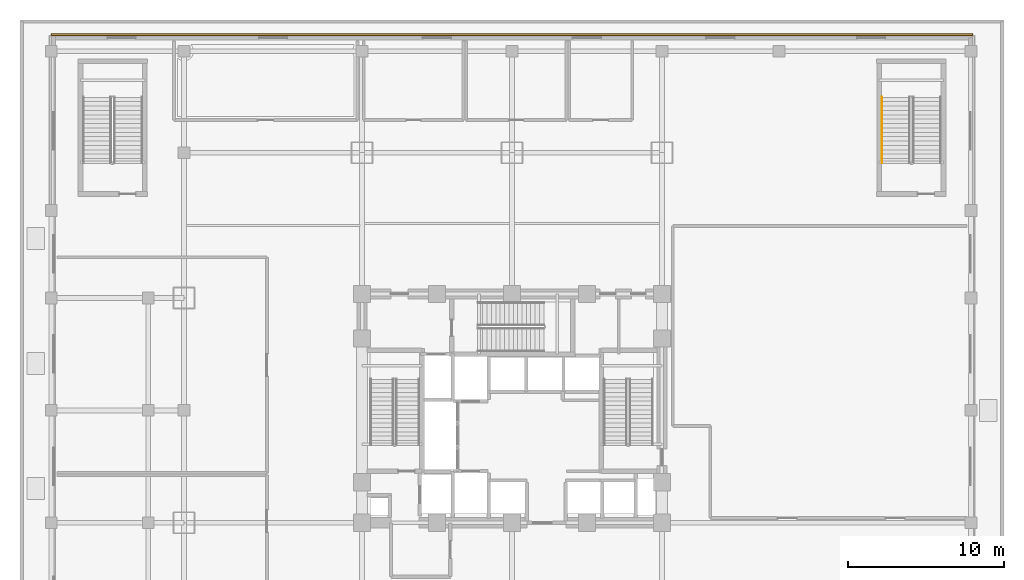
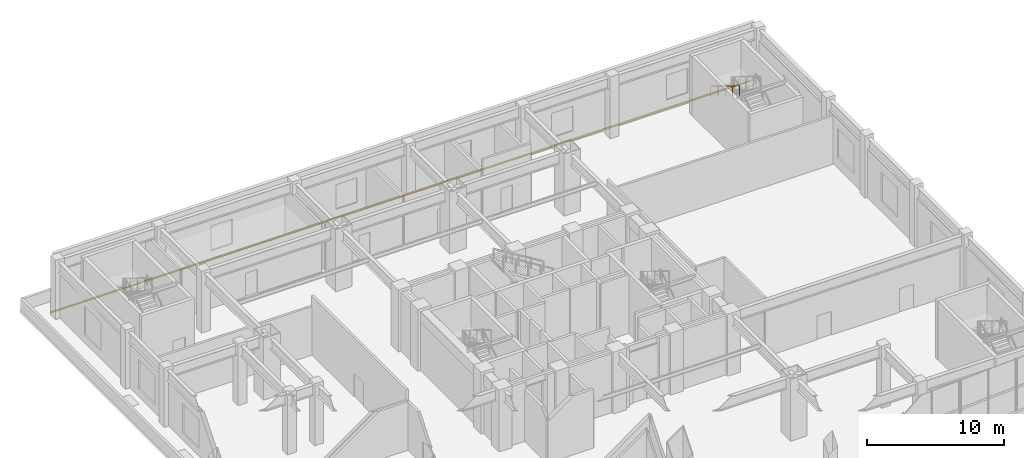
# One storey, part 23 of 24: 1 covering, 1 railing.
"""IFC4 building model written with IfcOpenShell, lengths in metres."""

import ifcopenshell
import ifcopenshell.guid

model = None  # the IFC model being written
_history = None  # IfcOwnerHistory: only IFC2X3 demands one
_inside = {}  # id of a spatial element -> (the spatial element, [elements in it])
_under = {}  # id of a project, library or spatial element -> (it, [spatial elements below it])
_declared = {}  # id of a project -> (the project, [libraries it declares])
_typed = {}  # id of a type object -> (the type object, [elements of that type])
_made_of = {}  # id of a material, layer set ... -> (it, [elements and type objects made of it])


def new_model(schema):
    """Start an empty IFC model of exactly this schema.

    Asked for "IFC4X3", IfcOpenShell would pick the latest addendum, in which some entities
    have other attributes; the version numbers below select the first issue.
    IFC2X3 requires an IfcOwnerHistory on every rooted entity: one is made here for all.
    """
    global model, _history
    if schema == "IFC4X3":
        model = ifcopenshell.file(schema_version=(4, 3, 0, 0))
    else:
        model = ifcopenshell.file(schema=schema)
    _inside.clear()
    _under.clear()
    _declared.clear()
    _typed.clear()
    _made_of.clear()
    _history = None
    if model.schema == "IFC2X3":
        org = make("IfcOrganization", Name="unknown")
        user = make(
            "IfcPersonAndOrganization",
            ThePerson=make("IfcPerson", FamilyName="unknown"),
            TheOrganization=org,
        )
        app = make(
            "IfcApplication",
            ApplicationDeveloper=org,
            Version="unknown",
            ApplicationFullName="unknown",
            ApplicationIdentifier="unknown",
        )
        _history = make(
            "IfcOwnerHistory",
            OwningUser=user,
            OwningApplication=app,
            ChangeAction="ADDED",
            CreationDate=0,
        )
    return model


def make(cls, **values):
    """One entity of the class cls with the attributes given. An attribute that is None is left unset."""
    return model.create_entity(
        cls, **{name: value for name, value in values.items() if value is not None}
    )


def rooted(cls, **values):
    """An entity with a GlobalId (a new one), such as an element, a storey or a relation."""
    return make(cls, GlobalId=ifcopenshell.guid.new(), OwnerHistory=_history, **values)


def si_unit(unit_type, name, prefix=None):
    """IfcSIUnit, for example si_unit("LENGTHUNIT", "METRE", prefix="MILLI")."""
    return make("IfcSIUnit", UnitType=unit_type, Prefix=prefix, Name=name)


def assignment(units):
    """IfcUnitAssignment: the units of a project."""
    return None if units is None else make("IfcUnitAssignment", Units=units)


def point(xyz):
    """IfcCartesianPoint."""
    return None if xyz is None else make("IfcCartesianPoint", Coordinates=xyz)


def direction(xyz):
    """IfcDirection."""
    return None if xyz is None else make("IfcDirection", DirectionRatios=xyz)


def frame(location, z_axis=None, x_axis=None):
    """IfcAxis2Placement3D, a coordinate frame: its origin and axes. An axis left out is left unset."""
    return make(
        "IfcAxis2Placement3D",
        Location=point(location),
        Axis=direction(z_axis),
        RefDirection=direction(x_axis),
    )


def frame_2d(location, x_axis=None):
    """IfcAxis2Placement2D, a coordinate frame in the plane: its origin and x axis."""
    return make(
        "IfcAxis2Placement2D", Location=point(location), RefDirection=direction(x_axis)
    )


def origin():
    """The frame at (0, 0, 0) with its axes left unset."""
    return frame((0.0, 0.0, 0.0))


def origin_2d():
    """The frame at (0, 0) in the plane with its x axis left unset."""
    return frame_2d((0.0, 0.0))


def place(relative_to, where):
    """IfcLocalPlacement: puts the frame where relative to a parent placement (None: the world)."""
    return make(
        "IfcLocalPlacement", PlacementRelTo=relative_to, RelativePlacement=where
    )


def context(
    kind, dimensions, precision=None, world=None, true_north=None, identifier=None
):
    """IfcGeometricRepresentationContext, for example the 3D "Model" context."""
    return make(
        "IfcGeometricRepresentationContext",
        ContextIdentifier=identifier,
        ContextType=kind,
        CoordinateSpaceDimension=dimensions,
        Precision=precision,
        WorldCoordinateSystem=world,
        TrueNorth=true_north,
    )


def subcontext(parent, identifier, kind, view, scale=None):
    """IfcGeometricRepresentationSubContext, for example "Body" below "Model"."""
    return make(
        "IfcGeometricRepresentationSubContext",
        ContextIdentifier=identifier,
        ContextType=kind,
        ParentContext=parent,
        TargetScale=scale,
        TargetView=view,
    )


def project(units=None, contexts=None):
    """IfcProject with its units and contexts."""
    return rooted(
        "IfcProject",
        Name="project",
        RepresentationContexts=contexts,
        UnitsInContext=assignment(units),
    )


def spatial(cls, under=None, at=None, **own):
    """A site, building, storey or space (cls), placed at a placement, below another one or the project."""
    s = rooted(cls, ObjectPlacement=at, **own)
    if under is not None:
        _under.setdefault(under.id(), (under, []))[1].append(s)
    return s


def polyline(points):
    """IfcPolyline through the points."""
    return make("IfcPolyline", Points=[point(p) for p in points])


def profile(cls, at=None, kind="AREA", **sizes):
    """A parametric profile (cls). Its sizes go by their IFC names, for example OverallWidth=200.0."""
    return make(cls, ProfileType=kind, Position=at, **sizes)


def rectangle(**sizes):
    """IfcRectangleProfileDef."""
    return profile("IfcRectangleProfileDef", **sizes)


def outline(outer, holes=None, kind="AREA"):
    """IfcArbitraryClosedProfileDef: a profile drawn as a closed curve; with holes, ...WithVoids."""
    if holes is None:
        return make("IfcArbitraryClosedProfileDef", ProfileType=kind, OuterCurve=outer)
    return make(
        "IfcArbitraryProfileDefWithVoids",
        ProfileType=kind,
        OuterCurve=outer,
        InnerCurves=holes,
    )


def extrude(swept, where, along, depth):
    """IfcExtrudedAreaSolid: the profile swept, set in the frame where, extruded along a direction by depth."""
    return make(
        "IfcExtrudedAreaSolid",
        SweptArea=swept,
        Position=where,
        ExtrudedDirection=direction(along),
        Depth=depth,
    )


def shape(context_of_items, identifier, shape_type, items):
    """IfcShapeRepresentation: the items that make up one representation, for example the "Body"."""
    return make(
        "IfcShapeRepresentation",
        ContextOfItems=context_of_items,
        RepresentationIdentifier=identifier,
        RepresentationType=shape_type,
        Items=items,
    )


def material(Name=None, Category=None):
    """IfcMaterial."""
    return make("IfcMaterial", Name=Name, Category=Category)


def layer(
    of_material, thickness, ventilated=None, Name=None, Category=None, Priority=None
):
    """IfcMaterialLayer: one layer of a wall or slab, of a material (None: an air gap)."""
    return make(
        "IfcMaterialLayer",
        Material=of_material,
        LayerThickness=thickness,
        IsVentilated=ventilated,
        Name=Name,
        Category=Category,
        Priority=Priority,
    )


def layer_set(layers, Name=None):
    """IfcMaterialLayerSet."""
    return make("IfcMaterialLayerSet", MaterialLayers=layers, LayerSetName=Name)


def made_of(thing, what):
    """Note that an element or type object is made of a material, layer set ...; save() writes the relation."""
    if what is not None:
        _made_of.setdefault(what.id(), (what, []))[1].append(thing)
    return thing


def type_object(cls, material=None, **own):
    """A type object (cls), such as IfcWallType, which elements share."""
    return made_of(rooted(cls, **own), material)


def element(
    cls,
    number,
    at=None,
    inside=None,
    cuts=None,
    type_object=None,
    material=None,
    context=None,
    identifier="Body",
    shape_type=None,
    held_by="IfcProductDefinitionShape",
    body=None,
    shapes=None,
    **own,
):
    """One element of the class cls, such as IfcWall. Its Tag is "e" and its number.

    at: its placement. inside: the storey or other place that contains it. cuts: it is an
    opening in that element (IfcRelVoidsElement). A single representation is given by context,
    identifier, shape_type and body (its items); several are given by shapes. held_by: the class
    of the entity that holds the representations. save() writes the other relations.
    """
    e = rooted(cls, Tag="e%d" % number, ObjectPlacement=at, **own)
    if body is not None:
        shapes = [shape(context, identifier, shape_type, body)]
    if shapes is not None:
        e.Representation = make(held_by, Representations=shapes)
    if inside is not None:
        _inside.setdefault(inside.id(), (inside, []))[1].append(e)
    if cuts is not None:
        rooted(
            "IfcRelVoidsElement", RelatingBuildingElement=cuts, RelatedOpeningElement=e
        )
    if type_object is not None:
        _typed.setdefault(type_object.id(), (type_object, []))[1].append(e)
    return made_of(e, material)


def aggregate(whole, parts):
    """IfcRelAggregates: a whole, such as a stair, and the parts it consists of."""
    return rooted("IfcRelAggregates", RelatingObject=whole, RelatedObjects=parts)


def save(model, path):
    """Write the relations noted so far, then the file.

    IfcRelAggregates (storeys below a building ...), IfcRelContainedInSpatialStructure (elements
    in a storey), IfcRelDefinesByType, IfcRelAssociatesMaterial and IfcRelDeclares: one each for
    every whole, place, type object, material and project.
    """
    for whole, parts in _under.values():
        aggregate(whole, parts)
    for where, things in _inside.values():
        rooted(
            "IfcRelContainedInSpatialStructure",
            RelatedElements=things,
            RelatingStructure=where,
        )
    for kind, things in _typed.values():
        rooted("IfcRelDefinesByType", RelatedObjects=things, RelatingType=kind)
    for what, things in _made_of.values():
        rooted("IfcRelAssociatesMaterial", RelatedObjects=things, RelatingMaterial=what)
    for by, libraries in _declared.values():
        rooted("IfcRelDeclares", RelatingContext=by, RelatedDefinitions=libraries)
    model.write(path)


model = new_model("IFC4")

# Units and contexts
model_context = context("Model", 3, precision=1e-05, world=origin(), true_north=direction((0.0, 1.0)))
body_context = subcontext(model_context, "Body", "Model", "MODEL_VIEW")
ifc_project = project(units=[si_unit("LENGTHUNIT", "METRE"), si_unit("AREAUNIT", "SQUARE_METRE"), si_unit("VOLUMEUNIT", "CUBIC_METRE"), si_unit("PLANEANGLEUNIT", "RADIAN"), si_unit("MASSUNIT", "GRAM", prefix="KILO")], contexts=[model_context])

# Site, building, storey
site_placement = place(None, origin())
site = spatial("IfcSite", under=ifc_project, at=site_placement, CompositionType="ELEMENT")
building_placement = place(site_placement, origin())
building = spatial("IfcBuilding", under=site, at=building_placement, Name="Vantalir Tower", CompositionType="ELEMENT")
storey_placement = place(building_placement, frame((0.0, 0.0, 16.0)))
storey = spatial("IfcBuildingStorey", under=building, at=storey_placement, Name="L03", CompositionType="ELEMENT", Elevation=16.0)

# Covering
ifc_material_1 = material(Name="Anodised champagne aluminium sill fascia", Category="aluminium")
ifc_layer = layer(ifc_material_1, 0.125)
ifc_layer_set = layer_set([ifc_layer], Name="Anodised champagne aluminium sill fascia")
covering_type = type_object("IfcCoveringType", Name="COV-SLAB-FASCIA-125", PredefinedType="CLADDING", material=ifc_layer_set)
covering_placement = place(storey_placement, frame((0.0, 0.0, -0.179931640625)))
element("IfcCovering", 1, at=covering_placement, inside=storey, type_object=covering_type, Name="L03 Podium Slab-Edge Fascia N", PredefinedType="CLADDING", context=body_context, shape_type="SweptSolid", body=[
    extrude(outline(polyline([(2.0, 49.0), (61.0, 49.0), (61.0, 49.125), (2.0, 49.125), (2.0, 49.0)])), origin(), (0.0, 0.0, 1.0), 0.10498046875),
])

# Railing
ifc_material_2 = material(Name="Brushed stainless steel tubular handrail", Category="steel")
railing_type = type_object("IfcRailingType", Name="RAL-HANDRAIL-900", PredefinedType="HANDRAIL", material=ifc_material_2)
railing_placement = place(storey_placement, frame((55.199951171875, 45.050048828125, 2.921875)))
element("IfcRailing", 2, at=railing_placement, inside=storey, type_object=railing_type, Name="L03 PST2 stair handrail 2", PredefinedType="HANDRAIL", context=body_context, shape_type="SweptSolid", body=[
    extrude(rectangle(XDim=0.048095703125, YDim=0.048095703125, at=origin_2d()), frame((0.0, 0.0, 0.8759765625), z_axis=(0.0, -0.852242915053, 0.523146264196), x_axis=(1.0, 0.0, 0.0)), (0.0, 0.0, 1.0), 4.92822265625),
    extrude(rectangle(XDim=0.0419921875, YDim=0.0419921875, at=origin_2d()), origin(), (0.0, 0.0, 1.0), 0.851806640625),
    extrude(rectangle(XDim=0.0419921875, YDim=0.0419921875, at=origin_2d()), frame((0.0, -1.050048828125, 0.64453125)), (0.0, 0.0, 1.0), 0.851806640625),
    extrude(rectangle(XDim=0.0419921875, YDim=0.0419921875, at=origin_2d()), frame((0.0, -2.10009765625, 1.2890625)), (0.0, 0.0, 1.0), 0.851806640625),
    extrude(rectangle(XDim=0.0419921875, YDim=0.0419921875, at=origin_2d()), frame((0.0, -3.14990234375, 1.93359375)), (0.0, 0.0, 1.0), 0.851806640625),
    extrude(rectangle(XDim=0.0419921875, YDim=0.0419921875, at=origin_2d()), frame((0.0, -4.199951171875, 2.578125)), (0.0, 0.0, 1.0), 0.851806640625),
])

save(model, "model.ifc")
